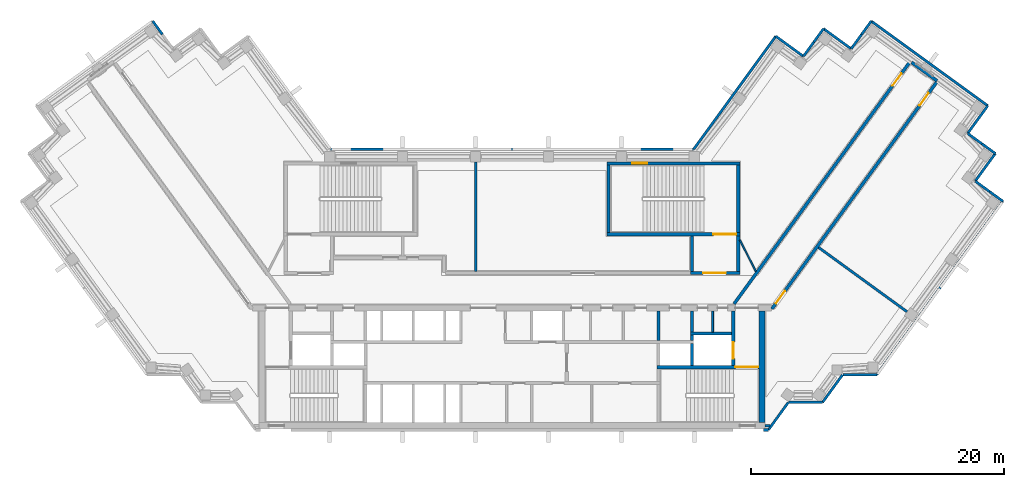
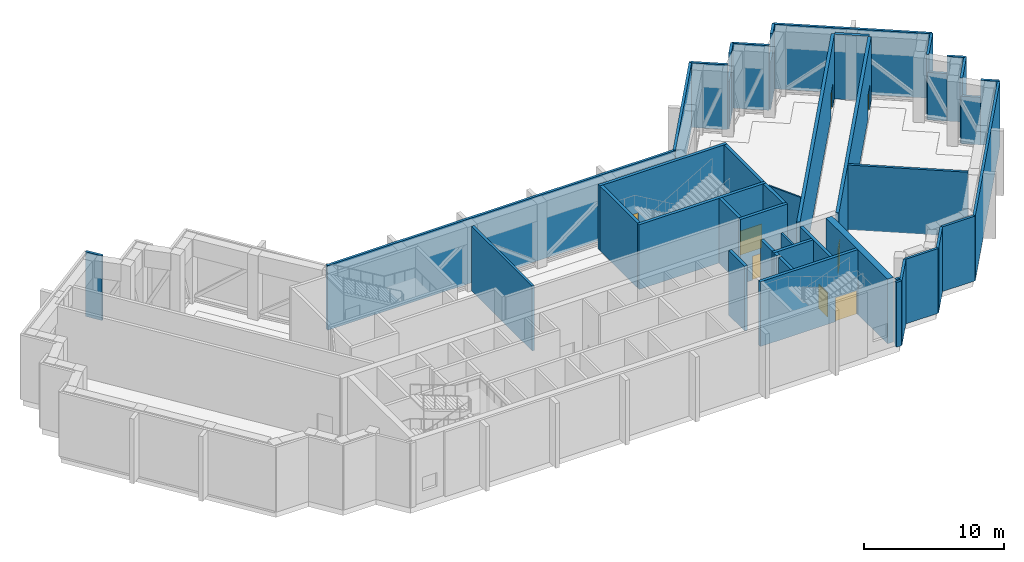
# One storey, part 11 of 15: 45 walls, 7 doors, 1 window, 8 openings.
"""IFC4 building model written with IfcOpenShell, lengths in metres."""

from ifc_helpers import new_model, si_unit, direction, frame, frame_2d, origin, place, context, subcontext, project, spatial, rectangle, extrude, material, layer, layer_set, type_object, element, fill, save


model = new_model("IFC4")

# Units and contexts
model_context = context("Model", 3, precision=1e-05, world=origin(), true_north=direction((0.0, 1.0)))
body_context = subcontext(model_context, "Body", "Model", "MODEL_VIEW")
ifc_project = project(units=[si_unit("LENGTHUNIT", "METRE"), si_unit("AREAUNIT", "SQUARE_METRE"), si_unit("VOLUMEUNIT", "CUBIC_METRE"), si_unit("PLANEANGLEUNIT", "RADIAN"), si_unit("MASSUNIT", "GRAM", prefix="KILO")], contexts=[model_context])

# Site, building, storey
site_placement = place(None, origin())
site = spatial("IfcSite", under=ifc_project, at=site_placement, CompositionType="ELEMENT")
building_placement = place(site_placement, origin())
building = spatial("IfcBuilding", under=site, at=building_placement, Name="Quipu Civic Tower", CompositionType="ELEMENT")
storey_placement = place(building_placement, frame((0.0, 0.0, 301.0)))
storey = spatial("IfcBuildingStorey", under=building, at=storey_placement, Name="L70", CompositionType="ELEMENT", Elevation=301.0)

# Walls
ifc_material_1 = material(Name="Fired clay blockwork", Category="masonry")
ifc_layer_1 = layer(ifc_material_1, 0.199951171875)
ifc_layer_set_1 = layer_set([ifc_layer_1], Name="Fired clay blockwork")
wall_type_1 = type_object("IfcWallType", Name="Blockwork wall 200", PredefinedType="SOLIDWALL", material=ifc_layer_set_1)
for number, where, z_axis, x_axis, name in (
    (1, (31.208740234375, -1.7470703125, 0.0), (0.0, 0.0, 1.0), (-0.80898392027, 0.587830772199, 0.0), "Partition P01"),
    (2, (-2.85888671875, 10.094970703125, 0.0), (0.0, 0.0, 1.0), (0.0, -1.0, 0.0), "Partition P02"),
):
    element("IfcWall", number, at=place(storey_placement, frame(where, z_axis=z_axis, x_axis=x_axis)), inside=storey, type_object=wall_type_1, Name=name, PredefinedType="SOLIDWALL", context=body_context, shape_type="SweptSolid", body=[
        extrude(rectangle(XDim=8.64501953125, YDim=0.199951171875, at=frame_2d((4.322509765625, 0.0))), origin(), (0.0, 0.0, 1.0), 5.64990234375),
    ])

# Wall, opening, door
ifc_material_2 = material(Name="Concrete C70/85", Category="concrete")
ifc_layer_2 = layer(ifc_material_2, 0.25)
ifc_layer_set_2 = layer_set([ifc_layer_2], Name="Concrete C70/85")
wall_type_2 = type_object("IfcWallType", Name="Core wall 250", PredefinedType="SHEAR", material=ifc_layer_set_2)
wall_1_placement = place(storey_placement, frame((19.5, -6.125, 0.0), z_axis=(0.0, 0.0, 1.0), x_axis=(-1.0, 0.0, 0.0)))
wall_1 = element("IfcWall", 3, at=wall_1_placement, inside=storey, type_object=wall_type_2, Name="Core wall", PredefinedType="SHEAR", context=body_context, shape_type="SweptSolid", body=[
    extrude(rectangle(XDim=8.050048828125, YDim=0.25, at=frame_2d((4.02490234375, 0.0))), origin(), (0.0, 0.0, 1.0), 5.64990234375),
])
opening_1_placement = place(wall_1_placement, frame((0.050048828125, 0.0, 0.0)))
opening_1 = element("IfcOpeningElement", 4, at=opening_1_placement, cuts=wall_1, Name="Opening CD-06", PredefinedType="OPENING", context=body_context, shape_type="SweptSolid", body=[
    extrude(rectangle(XDim=1.800048828125, YDim=2.10009765625, at=frame_2d((0.89990234375, 1.050048828125))), frame((0.0, 0.135009765625, 0.0), z_axis=(0.0, -1.0, 0.0), x_axis=(1.0, 0.0, 0.0)), (0.0, 0.0, 1.0), 0.27001953125),
])
ifc_material_3 = material(Name="Fire rated steel door", Category="steel")
door_type_1 = type_object("IfcDoorType", Name="Fire door FD90 double 1800 x 2100", OperationType="NOTDEFINED", PredefinedType="DOOR", material=ifc_material_3)
door_1_placement = place(opening_1_placement, origin())
door_1 = element("IfcDoor", 5, at=door_1_placement, inside=storey, type_object=door_type_1, Name="Door", OperationType="DOUBLE_DOOR_SINGLE_SWING", OverallHeight=2.10009765625, OverallWidth=1.800048828125, PredefinedType="DOOR", context=body_context, shape_type="SweptSolid", body=[
    extrude(rectangle(XDim=1.800048828125, YDim=2.10009765625, at=frame_2d((0.89990234375, 1.050048828125))), frame((0.0, 0.02490234375, 0.0), z_axis=(0.0, -1.0, 0.0), x_axis=(1.0, 0.0, 0.0)), (0.0, 0.0, 1.0), 0.050048828125),
])
fill(opening_1, door_1)

# Wall
wall_2_placement = place(storey_placement, frame((14.22509765625, -6.0, 0.0), z_axis=(0.0, 0.0, 1.0), x_axis=(0.0, 1.0, 0.0)))
element("IfcWall", 6, at=wall_2_placement, inside=storey, type_object=wall_type_2, Name="Core wall", PredefinedType="SHEAR", context=body_context, shape_type="SweptSolid", body=[
    extrude(rectangle(XDim=1.75, YDim=0.25, at=frame_2d((0.875, 0.0))), origin(), (0.0, 0.0, 1.0), 5.64990234375),
])

# Wall, opening, door
wall_3_placement = place(storey_placement, frame((17.47509765625, -6.0, 0.0), z_axis=(0.0, 0.0, 1.0), x_axis=(0.0, 1.0, 0.0)))
wall_3 = element("IfcWall", 7, at=wall_3_placement, inside=storey, type_object=wall_type_2, Name="Core wall", PredefinedType="SHEAR", context=body_context, shape_type="SweptSolid", body=[
    extrude(rectangle(XDim=4.300048828125, YDim=0.25, at=frame_2d((2.14990234375, 0.0))), origin(), (0.0, 0.0, 1.0), 5.64990234375),
])
opening_2_placement = place(wall_3_placement, frame((0.550048828125, 0.0, 0.0)))
opening_2 = element("IfcOpeningElement", 8, at=opening_2_placement, cuts=wall_3, Name="Opening LD-FF2", PredefinedType="OPENING", context=body_context, shape_type="SweptSolid", body=[
    extrude(rectangle(XDim=1.300048828125, YDim=2.10009765625, at=frame_2d((0.64990234375, 1.050048828125))), frame((0.0, 0.135009765625, 0.0), z_axis=(0.0, -1.0, 0.0), x_axis=(1.0, 0.0, 0.0)), (0.0, 0.0, 1.0), 0.27001953125),
])
ifc_material_4 = material(Name="Stainless steel", Category="steel")
door_type_2 = type_object("IfcDoorType", Name="Lift landing door 1300 x 2100", OperationType="DOUBLE_DOOR_SLIDING", PredefinedType="DOOR", material=ifc_material_4)
door_2_placement = place(opening_2_placement, origin())
door_2 = element("IfcDoor", 9, at=door_2_placement, inside=storey, type_object=door_type_2, Name="Landing door FF2", OperationType="DOUBLE_DOOR_SLIDING", OverallHeight=2.10009765625, OverallWidth=1.300048828125, PredefinedType="DOOR", context=body_context, shape_type="SweptSolid", body=[
    extrude(rectangle(XDim=1.300048828125, YDim=2.10009765625, at=frame_2d((0.64990234375, 1.050048828125))), frame((0.0, 0.02490234375, 0.0), z_axis=(0.0, -1.0, 0.0), x_axis=(1.0, 0.0, 0.0)), (0.0, 0.0, 1.0), 0.050048828125),
])
fill(opening_2, door_2)

# Walls
wall_4_placement = place(storey_placement, frame((11.574951171875, -4.0, 0.0), z_axis=(0.0, 0.0, 1.0), x_axis=(0.0, 1.0, 0.0)))
element("IfcWall", 10, at=wall_4_placement, inside=storey, type_object=wall_type_2, Name="Core wall", PredefinedType="SHEAR", context=body_context, shape_type="SweptSolid", body=[
    extrude(rectangle(XDim=2.300048828125, YDim=0.25, at=frame_2d((1.14990234375, 0.0))), origin(), (0.0, 0.0, 1.0), 5.64990234375),
])
wall_5_placement = place(storey_placement, frame((14.22509765625, -4.0, 0.0), z_axis=(0.0, 0.0, 1.0), x_axis=(0.0, 1.0, 0.0)))
element("IfcWall", 11, at=wall_5_placement, inside=storey, type_object=wall_type_2, Name="Core wall", PredefinedType="SHEAR", context=body_context, shape_type="SweptSolid", body=[
    extrude(rectangle(XDim=0.39990234375, YDim=0.25, at=frame_2d((0.199951171875, 0.0))), origin(), (0.0, 0.0, 1.0), 5.64990234375),
])
wall_6_placement = place(storey_placement, frame((14.10009765625, -3.47509765625, 0.0), z_axis=(0.0, 0.0, 1.0), x_axis=(1.0, 0.0, 0.0)))
element("IfcWall", 12, at=wall_6_placement, inside=storey, type_object=wall_type_2, Name="Core wall", PredefinedType="SHEAR", context=body_context, shape_type="SweptSolid", body=[
    extrude(rectangle(XDim=3.25, YDim=0.25, at=frame_2d((1.625, 0.0))), origin(), (0.0, 0.0, 1.0), 5.64990234375),
])
wall_7_placement = place(storey_placement, frame((14.22509765625, -3.35009765625, 0.0), z_axis=(0.0, 0.0, 1.0), x_axis=(0.0, 1.0, 0.0)))
element("IfcWall", 13, at=wall_7_placement, inside=storey, type_object=wall_type_2, Name="Core wall", PredefinedType="SHEAR", context=body_context, shape_type="SweptSolid", body=[
    extrude(rectangle(XDim=1.650146484375, YDim=0.25, at=frame_2d((0.8251953125, 0.0))), origin(), (0.0, 0.0, 1.0), 5.64990234375),
])

# Wall, opening, door
wall_8_placement = place(storey_placement, frame((14.10009765625, 1.324951171875, 0.0), z_axis=(0.0, 0.0, 1.0), x_axis=(1.0, 0.0, 0.0)))
wall_8 = element("IfcWall", 14, at=wall_8_placement, inside=storey, type_object=wall_type_2, Name="Core wall", PredefinedType="SHEAR", context=body_context, shape_type="SweptSolid", body=[
    extrude(rectangle(XDim=3.89990234375, YDim=0.25, at=frame_2d((1.949951171875, 0.0))), origin(), (0.0, 0.0, 1.0), 5.64990234375),
])
opening_3_placement = place(wall_8_placement, frame((1.0, 0.0, 0.0)))
opening_3 = element("IfcOpeningElement", 15, at=opening_3_placement, cuts=wall_8, Name="Opening CD-22", PredefinedType="OPENING", context=body_context, shape_type="SweptSolid", body=[
    extrude(rectangle(XDim=1.800048828125, YDim=2.10009765625, at=frame_2d((0.89990234375, 1.050048828125))), frame((0.0, 0.135009765625, 0.0), z_axis=(0.0, -1.0, 0.0), x_axis=(1.0, 0.0, 0.0)), (0.0, 0.0, 1.0), 0.27001953125),
])
door_3_placement = place(opening_3_placement, origin())
door_3 = element("IfcDoor", 16, at=door_3_placement, inside=storey, type_object=door_type_1, Name="Lobby door", OperationType="DOUBLE_DOOR_SINGLE_SWING", OverallHeight=2.10009765625, OverallWidth=1.800048828125, PredefinedType="DOOR", context=body_context, shape_type="SweptSolid", body=[
    extrude(rectangle(XDim=1.800048828125, YDim=2.10009765625, at=frame_2d((0.89990234375, 1.050048828125))), frame((0.0, 0.02490234375, 0.0), z_axis=(0.0, -1.0, 0.0), x_axis=(1.0, 0.0, 0.0)), (0.0, 0.0, 1.0), 0.050048828125),
])
fill(opening_3, door_3)

# Walls
for number, where, z_axis, x_axis, name in (
    (17, (14.22509765625, 1.449951171875, 0.0), (0.0, 0.0, 1.0), (0.0, 1.0, 0.0), "Core wall"),
    (18, (17.875, 1.449951171875, 0.0), (0.0, 0.0, 1.0), (0.0, 1.0, 0.0), "Core wall"),
):
    element("IfcWall", number, at=place(storey_placement, frame(where, z_axis=z_axis, x_axis=x_axis)), inside=storey, type_object=wall_type_2, Name=name, PredefinedType="SHEAR", context=body_context, shape_type="SweptSolid", body=[
        extrude(rectangle(XDim=2.800048828125, YDim=0.25, at=frame_2d((1.39990234375, 0.0))), origin(), (0.0, 0.0, 1.0), 5.64990234375),
    ])

# Wall, opening, door
wall_9_placement = place(storey_placement, frame((7.5, 4.375, 0.0), z_axis=(0.0, 0.0, 1.0), x_axis=(1.0, 0.0, 0.0)))
wall_9 = element("IfcWall", 19, at=wall_9_placement, inside=storey, type_object=wall_type_2, Name="Core wall", PredefinedType="SHEAR", context=body_context, shape_type="SweptSolid", body=[
    extrude(rectangle(XDim=10.5, YDim=0.25, at=frame_2d((5.25, 0.0))), origin(), (0.0, 0.0, 1.0), 5.64990234375),
])
opening_4_placement = place(wall_9_placement, frame((8.39990234375, 0.0, 0.0)))
opening_4 = element("IfcOpeningElement", 20, at=opening_4_placement, cuts=wall_9, Name="Opening CD-23", PredefinedType="OPENING", context=body_context, shape_type="SweptSolid", body=[
    extrude(rectangle(XDim=1.800048828125, YDim=2.10009765625, at=frame_2d((0.89990234375, 1.050048828125))), frame((0.0, 0.135009765625, 0.0), z_axis=(0.0, -1.0, 0.0), x_axis=(1.0, 0.0, 0.0)), (0.0, 0.0, 1.0), 0.27001953125),
])
door_4_placement = place(opening_4_placement, origin())
door_4 = element("IfcDoor", 21, at=door_4_placement, inside=storey, type_object=door_type_1, Name="Door", OperationType="DOUBLE_DOOR_SINGLE_SWING", OverallHeight=2.10009765625, OverallWidth=1.800048828125, PredefinedType="DOOR", context=body_context, shape_type="SweptSolid", body=[
    extrude(rectangle(XDim=1.800048828125, YDim=2.10009765625, at=frame_2d((0.89990234375, 1.050048828125))), frame((0.0, 0.02490234375, 0.0), z_axis=(0.0, -1.0, 0.0), x_axis=(1.0, 0.0, 0.0)), (0.0, 0.0, 1.0), 0.050048828125),
])
fill(opening_4, door_4)

# Walls
for number, where, z_axis, x_axis, name in (
    (22, (7.625, 4.5, 0.0), (0.0, 0.0, 1.0), (0.0, 1.0, 0.0), "Core wall"),
    (23, (17.875, 4.5, 0.0), (0.0, 0.0, 1.0), (0.0, 1.0, 0.0), "Core wall"),
):
    element("IfcWall", number, at=place(storey_placement, frame(where, z_axis=z_axis, x_axis=x_axis)), inside=storey, type_object=wall_type_2, Name=name, PredefinedType="SHEAR", context=body_context, shape_type="SweptSolid", body=[
        extrude(rectangle(XDim=5.35009765625, YDim=0.25, at=frame_2d((2.675048828125, 0.0))), origin(), (0.0, 0.0, 1.0), 5.64990234375),
    ])

# Wall, opening, window
wall_10_placement = place(storey_placement, frame((7.5, 9.97509765625, 0.0), z_axis=(0.0, 0.0, 1.0), x_axis=(1.0, 0.0, 0.0)))
wall_10 = element("IfcWall", 24, at=wall_10_placement, inside=storey, type_object=wall_type_2, Name="Core wall", PredefinedType="SHEAR", context=body_context, shape_type="SweptSolid", body=[
    extrude(rectangle(XDim=10.5, YDim=0.25, at=frame_2d((5.25, 0.0))), origin(), (0.0, 0.0, 1.0), 5.64990234375),
])
opening_5_placement = place(wall_10_placement, frame((2.0, 0.0, 1.0)))
opening_5 = element("IfcOpeningElement", 25, at=opening_5_placement, cuts=wall_10, Name="Opening SV-4", PredefinedType="OPENING", context=body_context, shape_type="SweptSolid", body=[
    extrude(rectangle(XDim=1.199951171875, YDim=1.199951171875, at=frame_2d((0.60009765625, 0.60009765625))), frame((0.0, 0.135009765625, 0.0), z_axis=(0.0, -1.0, 0.0), x_axis=(1.0, 0.0, 0.0)), (0.0, 0.0, 1.0), 0.27001953125),
])
ifc_material_5 = material(Name="Aluminium louvre", Category="aluminium")
window_type = type_object("IfcWindowType", Name="Stair ventilation louvre 1200 x 1200", PartitioningType="SINGLE_PANEL", PredefinedType="WINDOW", material=ifc_material_5)
window_placement = place(opening_5_placement, origin())
window = element("IfcWindow", 26, at=window_placement, inside=storey, type_object=window_type, Name="Stair ventilation opening", OverallHeight=1.199951171875, OverallWidth=1.199951171875, PartitioningType="SINGLE_PANEL", PredefinedType="WINDOW", context=body_context, shape_type="SweptSolid", body=[
    extrude(rectangle(XDim=1.199951171875, YDim=1.199951171875, at=frame_2d((0.60009765625, 0.60009765625))), frame((0.0, 0.030029296875, 0.0), z_axis=(0.0, -1.0, 0.0), x_axis=(1.0, 0.0, 0.0)), (0.0, 0.0, 1.0), 0.06005859375),
])
fill(opening_5, window)

# Wall
ifc_material_6 = material(Name="Concrete C70/85", Category="concrete")
ifc_layer_3 = layer(ifc_material_6, 0.5)
ifc_layer_set_3 = layer_set([ifc_layer_3], Name="Concrete C70/85")
wall_type_3 = type_object("IfcWallType", Name="Core wall 500", PredefinedType="SHEAR", material=ifc_layer_set_3)
wall_11_placement = place(storey_placement, frame((19.75, -10.5, 0.0), z_axis=(0.0, 0.0, 1.0), x_axis=(0.0, 1.0, 0.0)))
element("IfcWall", 27, at=wall_11_placement, inside=storey, type_object=wall_type_3, Name="Core wall", PredefinedType="SHEAR", context=body_context, shape_type="SweptSolid", body=[
    extrude(rectangle(XDim=8.800048828125, YDim=0.5, at=frame_2d((4.39990234375, 0.0))), origin(), (0.0, 0.0, 1.0), 5.64990234375),
])

# Wall, opening, door
ifc_material_7 = material(Name="Concrete C50/60", Category="concrete")
ifc_layer_4 = layer(ifc_material_7, 0.25)
ifc_layer_set_4 = layer_set([ifc_layer_4], Name="Concrete C50/60")
wall_type_4 = type_object("IfcWallType", Name="Corridor wall 250 concrete", PredefinedType="SOLIDWALL", material=ifc_layer_set_4)
wall_12_placement = place(storey_placement, frame((17.544921875, -1.124755859375, 0.0), z_axis=(0.0, 0.0, 1.0), x_axis=(0.587789755823, 0.80901372235, 0.0)))
wall_12 = element("IfcWall", 28, at=wall_12_placement, inside=storey, type_object=wall_type_4, Name="Corridor wall C03", PredefinedType="SOLIDWALL", context=body_context, shape_type="SweptSolid", body=[
    extrude(rectangle(XDim=23.64453125, YDim=0.25, at=frame_2d((11.822265625, 0.0))), origin(), (0.0, 0.0, 1.0), 5.64990234375),
])
opening_6_placement = place(wall_12_placement, frame((21.30322265625, 0.0, 0.0)))
opening_6 = element("IfcOpeningElement", 29, at=opening_6_placement, cuts=wall_12, Name="Opening D001", PredefinedType="OPENING", context=body_context, shape_type="SweptSolid", body=[
    extrude(rectangle(XDim=1.199951171875, YDim=2.10009765625, at=frame_2d((0.60009765625, 1.050048828125))), frame((0.0, 0.135009765625, 0.0), z_axis=(0.0, -1.0, 0.0), x_axis=(1.0, 0.0, 0.0)), (0.0, 0.0, 1.0), 0.27001953125),
])
ifc_material_8 = material(Name="Fire rated timber door set with metal frame", Category="wood")
door_type_3 = type_object("IfcDoorType", Name="Single door 1200 x 2100 FD60", OperationType="NOTDEFINED", PredefinedType="DOOR", material=ifc_material_8)
door_5_placement = place(opening_6_placement, origin())
door_5 = element("IfcDoor", 30, at=door_5_placement, inside=storey, type_object=door_type_3, Name="Door D001", OperationType="SINGLE_SWING_RIGHT", OverallHeight=2.10009765625, OverallWidth=1.199951171875, PredefinedType="DOOR", context=body_context, shape_type="SweptSolid", body=[
    extrude(rectangle(XDim=1.199951171875, YDim=2.10009765625, at=frame_2d((0.60009765625, 1.050048828125))), frame((0.0, 0.02490234375, 0.0), z_axis=(0.0, -1.0, 0.0), x_axis=(1.0, 0.0, 0.0)), (0.0, 0.0, 1.0), 0.050048828125),
])
fill(opening_6, door_5)

# Wall
wall_13_placement = place(storey_placement, frame((31.566650390625, 17.95556640625, 0.0), z_axis=(0.0, 0.0, 1.0), x_axis=(0.809011863271, -0.587792314586, 0.0)))
element("IfcWall", 31, at=wall_13_placement, inside=storey, type_object=wall_type_4, Name="Corridor wall C04", PredefinedType="SOLIDWALL", context=body_context, shape_type="SweptSolid", body=[
    extrude(rectangle(XDim=2.487548828125, YDim=0.25, at=frame_2d((1.24365234375, 0.0))), origin(), (0.0, 0.0, 1.0), 5.64990234375),
])

# Wall, openings, doors
wall_14_placement = place(storey_placement, frame((33.53076171875, 16.369384765625, 0.0), z_axis=(0.0, 0.0, 1.0), x_axis=(-0.587781095509, -0.809020014438, 0.0)))
wall_14 = element("IfcWall", 32, at=wall_14_placement, inside=storey, type_object=wall_type_4, Name="Corridor wall C05", PredefinedType="SOLIDWALL", context=body_context, shape_type="SweptSolid", body=[
    extrude(rectangle(XDim=22.11669921875, YDim=0.25, at=frame_2d((11.058349609375, 0.0))), origin(), (0.0, 0.0, 1.0), 5.64990234375),
])
opening_7_placement = place(wall_14_placement, frame((20.383544921875, 0.0, 0.0)))
opening_7 = element("IfcOpeningElement", 33, at=opening_7_placement, cuts=wall_14, Name="Opening D002", PredefinedType="OPENING", context=body_context, shape_type="SweptSolid", body=[
    extrude(rectangle(XDim=1.199951171875, YDim=2.10009765625, at=frame_2d((0.60009765625, 1.050048828125))), frame((0.0, 0.135009765625, 0.0), z_axis=(0.0, -1.0, 0.0), x_axis=(1.0, 0.0, 0.0)), (0.0, 0.0, 1.0), 0.27001953125),
])
opening_8_placement = place(wall_14_placement, frame((1.04638671875, 0.0, 0.0)))
opening_8 = element("IfcOpeningElement", 34, at=opening_8_placement, cuts=wall_14, Name="Opening D003", PredefinedType="OPENING", context=body_context, shape_type="SweptSolid", body=[
    extrude(rectangle(XDim=1.199951171875, YDim=2.10009765625, at=frame_2d((0.60009765625, 1.050048828125))), frame((0.0, 0.135009765625, 0.0), z_axis=(0.0, -1.0, 0.0), x_axis=(1.0, 0.0, 0.0)), (0.0, 0.0, 1.0), 0.27001953125),
])
door_6_placement = place(opening_7_placement, origin())
door_6 = element("IfcDoor", 35, at=door_6_placement, inside=storey, type_object=door_type_3, Name="Door D002", OperationType="SINGLE_SWING_RIGHT", OverallHeight=2.10009765625, OverallWidth=1.199951171875, PredefinedType="DOOR", context=body_context, shape_type="SweptSolid", body=[
    extrude(rectangle(XDim=1.199951171875, YDim=2.10009765625, at=frame_2d((0.60009765625, 1.050048828125))), frame((0.0, 0.02490234375, 0.0), z_axis=(0.0, -1.0, 0.0), x_axis=(1.0, 0.0, 0.0)), (0.0, 0.0, 1.0), 0.050048828125),
])
fill(opening_7, door_6)
door_7_placement = place(opening_8_placement, origin())
door_7 = element("IfcDoor", 36, at=door_7_placement, inside=storey, type_object=door_type_3, Name="Door D003", OperationType="SINGLE_SWING_LEFT", OverallHeight=2.10009765625, OverallWidth=1.199951171875, PredefinedType="DOOR", context=body_context, shape_type="SweptSolid", body=[
    extrude(rectangle(XDim=1.199951171875, YDim=2.10009765625, at=frame_2d((0.60009765625, 1.050048828125))), frame((0.0, 0.02490234375, 0.0), z_axis=(0.0, -1.0, 0.0), x_axis=(1.0, 0.0, 0.0)), (0.0, 0.0, 1.0), 0.050048828125),
])
fill(opening_8, door_7)

# Walls
ifc_material_9 = material(Name="Gypsum plasterboard on light gauge framing")
ifc_layer_5 = layer(ifc_material_9, 0.1201171875)
ifc_layer_set_5 = layer_set([ifc_layer_5], Name="Gypsum plasterboard on light gauge framing")
wall_type_5 = type_object("IfcWallType", Name="Partition 120 plasterboard", PredefinedType="PARTITIONING", material=ifc_layer_set_5)
wall_15_placement = place(storey_placement, frame((18.0, 3.925048828125, 0.0), z_axis=(0.0, 0.0, 1.0), x_axis=(0.453950796792, -0.891026752736, 0.0)))
element("IfcWall", 37, at=wall_15_placement, inside=storey, type_object=wall_type_5, Name="Partition P04", PredefinedType="PARTITIONING", context=body_context, shape_type="SweptSolid", body=[
    extrude(rectangle(XDim=2.77783203125, YDim=0.1201171875, at=frame_2d((1.388916015625, 0.0))), origin(), (0.0, 0.0, 1.0), 5.64990234375),
])
ifc_material_10 = material(Name="Gypsum board partition")
ifc_layer_6 = layer(ifc_material_10, 0.14990234375)
ifc_layer_set_6 = layer_set([ifc_layer_6], Name="Gypsum board partition")
wall_type_6 = type_object("IfcWallType", Name="Partition 150", PredefinedType="PARTITIONING", material=ifc_layer_set_6)
wall_16_placement = place(storey_placement, frame((15.85009765625, -3.35009765625, 0.0), z_axis=(0.0, 0.0, 1.0), x_axis=(0.0, 1.0, 0.0)))
element("IfcWall", 38, at=wall_16_placement, inside=storey, type_object=wall_type_6, Name="Partition", PredefinedType="PARTITIONING", context=body_context, shape_type="SweptSolid", body=[
    extrude(rectangle(XDim=1.650146484375, YDim=0.14990234375, at=frame_2d((0.8251953125, 0.0))), origin(), (0.0, 0.0, 1.0), 5.64990234375),
])
ifc_material_11 = material(Name="Precast concrete C40/50", Category="concrete")
wall_type_7 = type_object("IfcWallType", Name="Precast cladding wall", PredefinedType="SOLIDWALL", material=ifc_material_11)
wall_17_placement = place(storey_placement, frame((-27.616455078125, 20.159912109375, 0.0), z_axis=(0.0, 0.0, 1.0), x_axis=(-0.587707438817, 0.809073523457, 0.0)))
element("IfcWall", 39, at=wall_17_placement, inside=storey, type_object=wall_type_7, Name="Precast cladding wall L70 5 a", PredefinedType="SOLIDWALL", context=body_context, shape_type="SweptSolid", body=[
    extrude(rectangle(XDim=1.3134765625, YDim=0.199951171875, at=frame_2d((0.65673828125, 0.0))), origin(), (0.0, 0.0, 1.0), 5.64990234375),
])
wall_18_placement = place(storey_placement, frame((19.85009765625, -11.087890625, 0.0), z_axis=(0.0, 0.0, 1.0), x_axis=(1.0, 0.0, 0.0)))
element("IfcWall", 40, at=wall_18_placement, inside=storey, type_object=wall_type_7, Name="Precast cladding wall L70 18", PredefinedType="SOLIDWALL", context=body_context, shape_type="SweptSolid", body=[
    extrude(rectangle(XDim=0.40576171875, YDim=0.199951171875, at=frame_2d((0.202880859375, 0.0))), origin(), (0.0, 0.0, 1.0), 5.64990234375),
])
wall_19_placement = place(storey_placement, frame((20.253173828125, -11.083251953125, 0.0), z_axis=(0.0, 0.0, 1.0), x_axis=(0.587766567315, 0.809030569476, 0.0)))
element("IfcWall", 41, at=wall_19_placement, inside=storey, type_object=wall_type_7, Name="Precast cladding wall L70 19", PredefinedType="SOLIDWALL", context=body_context, shape_type="SweptSolid", body=[
    extrude(rectangle(XDim=2.687744140625, YDim=0.199951171875, at=frame_2d((1.34375, 0.0))), origin(), (0.0, 0.0, 1.0), 5.64990234375),
])
wall_20_placement = place(storey_placement, frame((21.8427734375, -8.90380859375, 0.0), z_axis=(0.0, 0.0, 1.0), x_axis=(1.0, 0.0, 0.0)))
element("IfcWall", 42, at=wall_20_placement, inside=storey, type_object=wall_type_7, Name="Precast cladding wall L70 20", PredefinedType="SOLIDWALL", context=body_context, shape_type="SweptSolid", body=[
    extrude(rectangle(XDim=2.699951171875, YDim=0.199951171875, at=frame_2d((1.35009765625, 0.0))), origin(), (0.0, 0.0, 1.0), 5.64990234375),
])
wall_21_placement = place(storey_placement, frame((24.533203125, -8.90869140625, 0.0), z_axis=(0.0, 0.0, 1.0), x_axis=(0.587720002413, 0.809064397168, 0.0)))
element("IfcWall", 43, at=wall_21_placement, inside=storey, type_object=wall_type_7, Name="Precast cladding wall L70 21", PredefinedType="SOLIDWALL", context=body_context, shape_type="SweptSolid", body=[
    extrude(rectangle(XDim=2.7001953125, YDim=0.199951171875, at=frame_2d((1.35009765625, 0.0))), origin(), (0.0, 0.0, 1.0), 5.64990234375),
])
wall_22_placement = place(storey_placement, frame((26.1298828125, -6.71923828125, 0.0), z_axis=(0.0, 0.0, 1.0), x_axis=(1.0, 0.0, 0.0)))
element("IfcWall", 44, at=wall_22_placement, inside=storey, type_object=wall_type_7, Name="Precast cladding wall L70 22", PredefinedType="SOLIDWALL", context=body_context, shape_type="SweptSolid", body=[
    extrude(rectangle(XDim=2.699951171875, YDim=0.199951171875, at=frame_2d((1.35009765625, 0.0))), origin(), (0.0, 0.0, 1.0), 5.64990234375),
])
wall_23_placement = place(storey_placement, frame((28.820068359375, -6.72412109375, 0.0), z_axis=(0.0, 0.0, 1.0), x_axis=(0.587789790223, 0.809013697356, 0.0)))
element("IfcWall", 45, at=wall_23_placement, inside=storey, type_object=wall_type_7, Name="Precast cladding wall L70 23", PredefinedType="SOLIDWALL", context=body_context, shape_type="SweptSolid", body=[
    extrude(rectangle(XDim=16.95556640625, YDim=0.199951171875, at=frame_2d((8.477783203125, 0.0))), origin(), (0.0, 0.0, 1.0), 5.64990234375),
])
wall_24_placement = place(storey_placement, frame((38.7890625, 6.976318359375, 0.0), z_axis=(0.0, 0.0, 1.0), x_axis=(-0.809011398613, 0.587792954121, 0.0)))
element("IfcWall", 46, at=wall_24_placement, inside=storey, type_object=wall_type_7, Name="Precast cladding wall L70 24", PredefinedType="SOLIDWALL", context=body_context, shape_type="SweptSolid", body=[
    extrude(rectangle(XDim=1.303466796875, YDim=0.199951171875, at=frame_2d((0.65185546875, 0.0))), origin(), (0.0, 0.0, 1.0), 5.64990234375),
])
wall_25_placement = place(storey_placement, frame((37.734619140625, 7.742431640625, 0.0), z_axis=(0.0, 0.0, 1.0), x_axis=(-0.808970345434, 0.587849453694, 0.0)))
element("IfcWall", 47, at=wall_25_placement, inside=storey, type_object=wall_type_7, Name="Precast cladding wall L70 24 a", PredefinedType="SOLIDWALL", context=body_context, shape_type="SweptSolid", body=[
    extrude(rectangle(XDim=1.396728515625, YDim=0.199951171875, at=frame_2d((0.6982421875, 0.0))), origin(), (0.0, 0.0, 1.0), 4.14990234375),
])
wall_26_placement = place(storey_placement, frame((36.60205078125, 8.580322265625, 0.0), z_axis=(0.0, 0.0, 1.0), x_axis=(0.587822180636, 0.808990163075, 0.0)))
element("IfcWall", 48, at=wall_26_placement, inside=storey, type_object=wall_type_7, Name="Precast cladding wall L70 25", PredefinedType="SOLIDWALL", context=body_context, shape_type="SweptSolid", body=[
    extrude(rectangle(XDim=2.699951171875, YDim=0.199951171875, at=frame_2d((1.35009765625, 0.0))), origin(), (0.0, 0.0, 1.0), 5.64990234375),
])
wall_27_placement = place(storey_placement, frame((38.191650390625, 10.747802734375, 0.0), z_axis=(0.0, 0.0, 1.0), x_axis=(-0.808985145084, 0.587829086584, 0.0)))
element("IfcWall", 49, at=wall_27_placement, inside=storey, type_object=wall_type_7, Name="Precast cladding wall L70 26", PredefinedType="SOLIDWALL", context=body_context, shape_type="SweptSolid", body=[
    extrude(rectangle(XDim=1.313720703125, YDim=0.199951171875, at=frame_2d((0.65673828125, 0.0))), origin(), (0.0, 0.0, 1.0), 5.64990234375),
])
wall_28_placement = place(storey_placement, frame((37.12890625, 11.52001953125, 0.0), z_axis=(0.0, 0.0, 1.0), x_axis=(-0.809078659976, 0.58770036751, 0.0)))
element("IfcWall", 50, at=wall_28_placement, inside=storey, type_object=wall_type_7, Name="Precast cladding wall L70 26 a", PredefinedType="SOLIDWALL", context=body_context, shape_type="SweptSolid", body=[
    extrude(rectangle(XDim=1.38623046875, YDim=0.199951171875, at=frame_2d((0.693115234375, 0.0))), origin(), (0.0, 0.0, 1.0), 4.14990234375),
])
wall_29_placement = place(storey_placement, frame((36.0048828125, 12.3515625, 0.0), z_axis=(0.0, 0.0, 1.0), x_axis=(0.587762999008, 0.809033161865, 0.0)))
element("IfcWall", 51, at=wall_29_placement, inside=storey, type_object=wall_type_7, Name="Precast cladding wall L70 27", PredefinedType="SOLIDWALL", context=body_context, shape_type="SweptSolid", body=[
    extrude(rectangle(XDim=2.699951171875, YDim=0.199951171875, at=frame_2d((1.35009765625, 0.0))), origin(), (0.0, 0.0, 1.0), 5.64990234375),
])
wall_30_placement = place(storey_placement, frame((37.594482421875, 14.519287109375, 0.0), z_axis=(0.0, 0.0, 1.0), x_axis=(-0.809023074878, 0.587776883106, 0.0)))
element("IfcWall", 52, at=wall_30_placement, inside=storey, type_object=wall_type_7, Name="Precast cladding wall L70 28", PredefinedType="SOLIDWALL", context=body_context, shape_type="SweptSolid", body=[
    extrude(rectangle(XDim=11.400146484375, YDim=0.199951171875, at=frame_2d((5.7001953125, 0.0))), origin(), (0.0, 0.0, 1.0), 5.64990234375),
])
wall_31_placement = place(storey_placement, frame((28.388427734375, 21.22265625, 0.0), z_axis=(0.0, 0.0, 1.0), x_axis=(-0.587707438817, -0.809073523457, 0.0)))
element("IfcWall", 53, at=wall_31_placement, inside=storey, type_object=wall_type_7, Name="Precast cladding wall L70 29", PredefinedType="SOLIDWALL", context=body_context, shape_type="SweptSolid", body=[
    extrude(rectangle(XDim=1.3134765625, YDim=0.199951171875, at=frame_2d((0.65673828125, 0.0))), origin(), (0.0, 0.0, 1.0), 5.64990234375),
])
wall_32_placement = place(storey_placement, frame((27.616455078125, 20.159912109375, 0.0), z_axis=(0.0, 0.0, 1.0), x_axis=(-0.587731903943, -0.809055751533, 0.0)))
element("IfcWall", 54, at=wall_32_placement, inside=storey, type_object=wall_type_7, Name="Precast cladding wall L70 29 a", PredefinedType="SOLIDWALL", context=body_context, shape_type="SweptSolid", body=[
    extrude(rectangle(XDim=1.386474609375, YDim=0.199951171875, at=frame_2d((0.693359375, 0.0))), origin(), (0.0, 0.0, 1.0), 4.14990234375),
])
wall_33_placement = place(storey_placement, frame((26.78466796875, 19.03564453125, 0.0), z_axis=(0.0, 0.0, 1.0), x_axis=(-0.809064397168, 0.587720002413, 0.0)))
element("IfcWall", 55, at=wall_33_placement, inside=storey, type_object=wall_type_7, Name="Precast cladding wall L70 30", PredefinedType="SOLIDWALL", context=body_context, shape_type="SweptSolid", body=[
    extrude(rectangle(XDim=2.7001953125, YDim=0.199951171875, at=frame_2d((1.35009765625, 0.0))), origin(), (0.0, 0.0, 1.0), 5.64990234375),
])
wall_34_placement = place(storey_placement, frame((24.616943359375, 20.625244140625, 0.0), z_axis=(0.0, 0.0, 1.0), x_axis=(-0.587772972264, -0.809025916196, 0.0)))
element("IfcWall", 56, at=wall_34_placement, inside=storey, type_object=wall_type_7, Name="Precast cladding wall L70 31", PredefinedType="SOLIDWALL", context=body_context, shape_type="SweptSolid", body=[
    extrude(rectangle(XDim=1.310791015625, YDim=0.199951171875, at=frame_2d((0.6552734375, 0.0))), origin(), (0.0, 0.0, 1.0), 5.64990234375),
])
wall_35_placement = place(storey_placement, frame((23.846435546875, 19.564697265625, 0.0), z_axis=(0.0, 0.0, 1.0), x_axis=(-0.587753586678, -0.809039999844, 0.0)))
element("IfcWall", 57, at=wall_35_placement, inside=storey, type_object=wall_type_7, Name="Precast cladding wall L70 31 a", PredefinedType="SOLIDWALL", context=body_context, shape_type="SweptSolid", body=[
    extrude(rectangle(XDim=1.388916015625, YDim=0.199951171875, at=frame_2d((0.6943359375, 0.0))), origin(), (0.0, 0.0, 1.0), 4.14990234375),
])
wall_36_placement = place(storey_placement, frame((23.01318359375, 18.438232421875, 0.0), z_axis=(0.0, 0.0, 1.0), x_axis=(-0.808990163075, 0.587822180636, 0.0)))
element("IfcWall", 58, at=wall_36_placement, inside=storey, type_object=wall_type_7, Name="Precast cladding wall L70 32", PredefinedType="SOLIDWALL", context=body_context, shape_type="SweptSolid", body=[
    extrude(rectangle(XDim=2.699951171875, YDim=0.199951171875, at=frame_2d((1.35009765625, 0.0))), origin(), (0.0, 0.0, 1.0), 5.64990234375),
])
wall_37_placement = place(storey_placement, frame((20.845703125, 20.02783203125, 0.0), z_axis=(0.0, 0.0, 1.0), x_axis=(-0.58779571445, -0.809009393069, 0.0)))
element("IfcWall", 59, at=wall_37_placement, inside=storey, type_object=wall_type_7, Name="Precast cladding wall L70 33", PredefinedType="SOLIDWALL", context=body_context, shape_type="SweptSolid", body=[
    extrude(rectangle(XDim=11.044189453125, YDim=0.199951171875, at=frame_2d((5.52197265625, 0.0))), origin(), (0.0, 0.0, 1.0), 5.64990234375),
])
wall_38_placement = place(storey_placement, frame((14.34423828125, 11.087890625, 0.0), z_axis=(0.0, 0.0, 1.0), x_axis=(-1.0, 0.0, 0.0)))
element("IfcWall", 60, at=wall_38_placement, inside=storey, type_object=wall_type_7, Name="Precast cladding wall L70 34", PredefinedType="SOLIDWALL", context=body_context, shape_type="SweptSolid", body=[
    extrude(rectangle(XDim=28.6884765625, YDim=0.199951171875, at=frame_2d((14.34423828125, 0.0))), origin(), (0.0, 0.0, 1.0), 5.64990234375),
])
wall_39_placement = place(storey_placement, frame((19.97998046875, -10.75, 0.0), z_axis=(0.0, 0.0, 1.0), x_axis=(1.0, 0.0, 0.0)))
element("IfcWall", 61, at=wall_39_placement, inside=storey, type_object=wall_type_7, Name="Precast cladding return L70 E", PredefinedType="SOLIDWALL", context=body_context, shape_type="SweptSolid", body=[
    extrude(rectangle(XDim=0.41650390625, YDim=0.199951171875, at=frame_2d((0.208251953125, 0.0))), origin(), (0.0, 0.0, 1.0), 5.64990234375),
])

save(model, "model.ifc")
